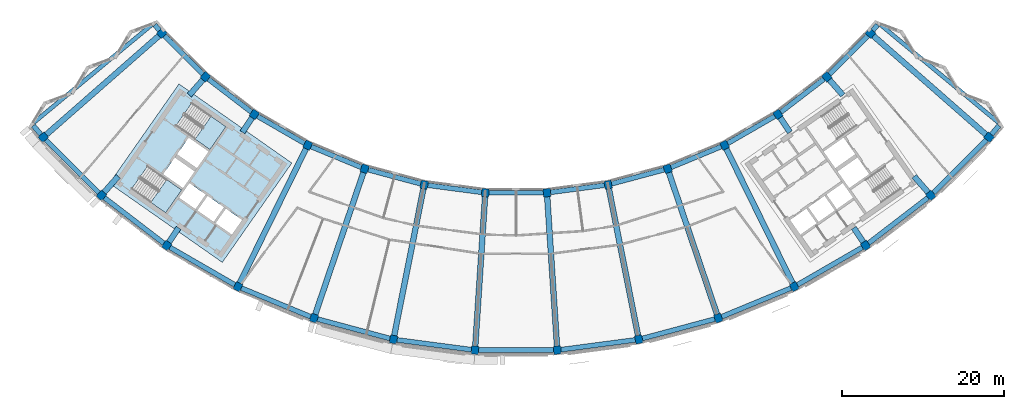
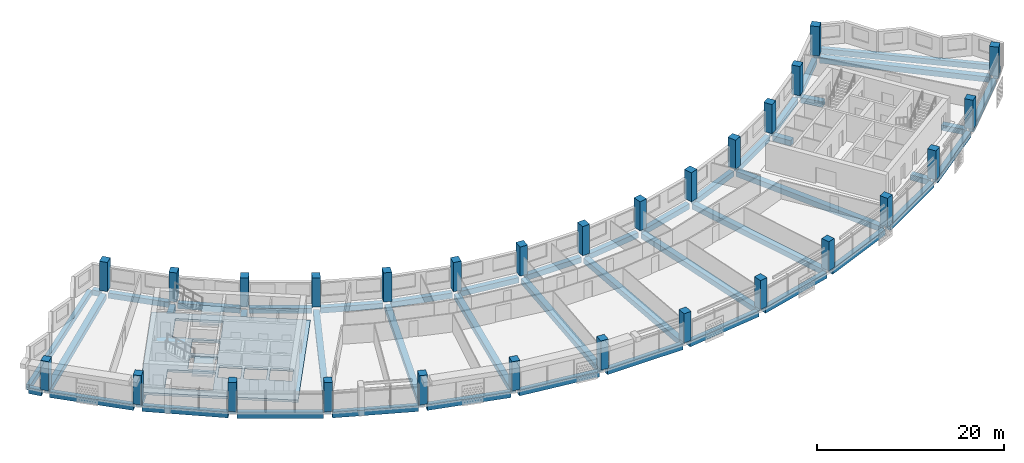
# One storey, part 1 of 28: 50 beams, 28 columns, 3 slabs, 2 elements without a shape of their own.
"""IFC4 building model written with IfcOpenShell, lengths in metres."""

from ifc_helpers import new_model, si_unit, direction, frame, origin, origin_2d, place, context, subcontext, project, spatial, polyline, rectangle, outline, extrude, material, layer, layer_set, material_profile, profile_set, type_object, element, aggregate, save


model = new_model("IFC4")

# Units and contexts
model_context = context("Model", 3, precision=1e-05, world=origin(), true_north=direction((0.0, 1.0)))
body_context = subcontext(model_context, "Body", "Model", "MODEL_VIEW")
ifc_project = project(units=[si_unit("LENGTHUNIT", "METRE"), si_unit("AREAUNIT", "SQUARE_METRE"), si_unit("VOLUMEUNIT", "CUBIC_METRE"), si_unit("PLANEANGLEUNIT", "RADIAN"), si_unit("MASSUNIT", "GRAM", prefix="KILO")], contexts=[model_context])

# Site, building, storey
site_placement = place(None, origin())
site = spatial("IfcSite", under=ifc_project, at=site_placement, CompositionType="ELEMENT")
building_placement = place(site_placement, origin())
building = spatial("IfcBuilding", under=site, at=building_placement, Name="Qamariyya Broadcast Tower", CompositionType="ELEMENT")
storey_placement = place(building_placement, frame((0.0, 0.0, 269.5)))
storey = spatial("IfcBuildingStorey", under=building, at=storey_placement, Name="L65", CompositionType="ELEMENT", Elevation=269.5)

# Columns
ifc_material_1 = material(Name="Concrete C50/60", Category="concrete")
ifc_material_profile_1 = material_profile(ifc_material_1, rectangle(XDim=0.89990234375, YDim=1.0, at=origin_2d()))
ifc_profile_set_1 = profile_set([ifc_material_profile_1], Name="Concrete C50/60")
column_type = type_object("IfcColumnType", Name="RC column 900 x 1000 C50/60", PredefinedType="COLUMN", material=ifc_profile_set_1)
for number, where, z_axis, x_axis, name in (
    (1, (-43.794677734375, -38.406982421875, 0.0), (0.0, 0.0, 1.0), (0.6593458151, -0.751839807479, 0.0), "Column C12 L65 B-R04"),
    (2, (-58.45556640625, -51.26416015625, 0.0), (0.0, 0.0, 1.0), (0.6593458151, -0.751839807479, 0.0), "Column C12 L65 C-R04"),
    (3, (-38.406982421875, -43.794677734375, 0.0), (0.0, 0.0, 1.0), (0.751839807479, -0.6593458151, 0.0), "Column C12 L65 B-R05"),
    (4, (-51.26416015625, -58.45556640625, 0.0), (0.0, 0.0, 1.0), (0.751839807479, -0.6593458151, 0.0), "Column C12 L65 C-R05"),
    (5, (-32.362060546875, -48.43310546875, 0.0), (0.0, 0.0, 1.0), (0.831469612303, -0.55557023302, 0.0), "Column C12 L65 B-R06"),
    (6, (-43.195556640625, -64.646728515625, 0.0), (0.0, 0.0, 1.0), (0.831469612303, -0.55557023302, 0.0), "Column C12 L65 C-R06"),
    (7, (-25.763427734375, -52.242919921875, 0.0), (0.0, 0.0, 1.0), (0.896872741533, -0.442288690219, 0.0), "Column C12 L65 B-R07"),
    (8, (-34.387939453125, -69.73193359375, 0.0), (0.0, 0.0, 1.0), (0.896872741533, -0.442288690219, 0.0), "Column C12 L65 C-R07"),
    (9, (-18.723876953125, -55.15869140625, 0.0), (0.0, 0.0, 1.0), (0.946930129495, -0.321439465303, 0.0), "Column C12 L65 B-R08"),
    (10, (-24.991943359375, -73.623779296875, 0.0), (0.0, 0.0, 1.0), (0.946930129495, -0.321439465303, 0.0), "Column C12 L65 C-R08"),
    (11, (-11.364013671875, -57.130859375, 0.0), (0.0, 0.0, 1.0), (0.980785280403, -0.195090322016, 0.0), "Column C12 L65 B-R09"),
    (12, (-15.168212890625, -76.256103515625, 0.0), (0.0, 0.0, 1.0), (0.980785280403, -0.195090322016, 0.0), "Column C12 L65 C-R09"),
    (13, (-3.809814453125, -58.125244140625, 0.0), (0.0, 0.0, 1.0), (0.997858923239, -0.06540312923, 0.0), "Column C12 L65 B-R10"),
    (14, (-5.085205078125, -77.58349609375, 0.0), (0.0, 0.0, 1.0), (0.997858923239, -0.06540312923, 0.0), "Column C12 L65 C-R10"),
    (15, (3.809814453125, -58.125244140625, 0.0), (0.0, 0.0, 1.0), (0.997858923239, 0.06540312923, 0.0), "Column C12 L65 B-R11"),
    (16, (5.085205078125, -77.58349609375, 0.0), (0.0, 0.0, 1.0), (0.997858923239, 0.06540312923, 0.0), "Column C12 L65 C-R11"),
    (17, (11.364013671875, -57.130859375, 0.0), (0.0, 0.0, 1.0), (0.980785280403, 0.195090322016, 0.0), "Column C12 L65 B-R12"),
    (18, (15.168212890625, -76.256103515625, 0.0), (0.0, 0.0, 1.0), (0.980785280403, 0.195090322016, 0.0), "Column C12 L65 C-R12"),
    (19, (18.723876953125, -55.15869140625, 0.0), (0.0, 0.0, 1.0), (0.946930129495, 0.321439465303, 0.0), "Column C12 L65 B-R13"),
    (20, (24.991943359375, -73.623779296875, 0.0), (0.0, 0.0, 1.0), (0.946930129495, 0.321439465303, 0.0), "Column C12 L65 C-R13"),
    (21, (25.763427734375, -52.242919921875, 0.0), (0.0, 0.0, 1.0), (0.896872741533, 0.442288690219, 0.0), "Column C12 L65 B-R14"),
    (22, (34.387939453125, -69.73193359375, 0.0), (0.0, 0.0, 1.0), (0.896872741533, 0.442288690219, 0.0), "Column C12 L65 C-R14"),
    (23, (32.362060546875, -48.43310546875, 0.0), (0.0, 0.0, 1.0), (0.831469612303, 0.55557023302, 0.0), "Column C12 L65 B-R15"),
    (24, (43.195556640625, -64.646728515625, 0.0), (0.0, 0.0, 1.0), (0.831469612303, 0.55557023302, 0.0), "Column C12 L65 C-R15"),
    (25, (38.406982421875, -43.794677734375, 0.0), (0.0, 0.0, 1.0), (0.751839807479, 0.6593458151, 0.0), "Column C12 L65 B-R16"),
    (26, (51.26416015625, -58.45556640625, 0.0), (0.0, 0.0, 1.0), (0.751839807479, 0.6593458151, 0.0), "Column C12 L65 C-R16"),
    (27, (43.794677734375, -38.406982421875, 0.0), (0.0, 0.0, 1.0), (0.6593458151, 0.751839807479, 0.0), "Column C12 L65 B-R17"),
    (28, (58.45556640625, -51.26416015625, 0.0), (0.0, 0.0, 1.0), (0.6593458151, 0.751839807479, 0.0), "Column C12 L65 C-R17"),
):
    element("IfcColumn", number, at=place(storey_placement, frame(where, z_axis=z_axis, x_axis=x_axis)), inside=storey, type_object=column_type, Name=name, PredefinedType="COLUMN", context=body_context, shape_type="SweptSolid", body=[
        extrude(rectangle(XDim=0.89990234375, YDim=1.0, at=origin_2d()), origin(), (0.0, 0.0, 1.0), 3.800048828125),
    ])

# Beams
ifc_material_2 = material(Name="Concrete C40/50", Category="concrete")
ifc_material_profile_2 = material_profile(ifc_material_2, rectangle(XDim=0.60009765625, YDim=0.699951171875, at=origin_2d()))
ifc_profile_set_2 = profile_set([ifc_material_profile_2], Name="Concrete C40/50")
beam_type_1 = type_object("IfcBeamType", Name="RC edge beam 600 x 700 C40/50", PredefinedType="SPANDREL", material=ifc_profile_set_2)
for number, where, z_axis, x_axis, name in (
    (29, (-43.475830078125, -38.725830078125, -0.64990234375), (0.707106781187, -0.707106781187, 0.0), (0.707106781187, 0.707106781187, 0.0), "Edge beam B20 L65 B R04-R05"),
    (30, (-38.049072265625, -44.069091796875, -0.64990234375), (0.793335450892, -0.608784742219, 0.0), (0.608784742219, 0.793335450892, 0.0), "Edge beam B20 L65 B R05-R06"),
    (31, (-31.971435546875, -48.65869140625, -0.64990234375), (0.866036098112, -0.499981476425, 0.0), (0.499981476425, 0.866036098112, 0.0), "Edge beam B20 L65 B R06-R07"),
    (32, (-25.3466796875, -52.41552734375, -0.64990234375), (0.923888821942, -0.382661004926, 0.0), (0.382661004926, 0.923888821942, 0.0), "Edge beam B20 L65 B R07-R08"),
    (33, (-18.288330078125, -55.275390625, -0.64990234375), (0.965930856343, -0.258800271955, 0.0), (0.258800271955, 0.965930856343, 0.0), "Edge beam B20 L65 B R08-R09"),
    (34, (-10.9169921875, -57.189697265625, -0.64990234375), (0.991447119382, -0.130509039798, 0.0), (0.130509039798, 0.991447119382, 0.0), "Edge beam B20 L65 B R09-R10"),
):
    element("IfcBeam", number, at=place(storey_placement, frame(where, z_axis=z_axis, x_axis=x_axis)), inside=storey, type_object=beam_type_1, Name=name, PredefinedType="SPANDREL", context=body_context, shape_type="SweptSolid", body=[
        extrude(rectangle(XDim=0.60009765625, YDim=0.699951171875, at=origin_2d()), origin(), (0.0, 0.0, 1.0), 6.717529296875),
    ])
beam_1_placement = place(storey_placement, frame((-3.35888671875, -58.125244140625, -0.64990234375), z_axis=(1.0, 0.0, 0.0), x_axis=(0.0, 1.0, 0.0)))
element("IfcBeam", 35, at=beam_1_placement, inside=storey, type_object=beam_type_1, Name="Edge beam B20 L65 B R10-R11", PredefinedType="SPANDREL", context=body_context, shape_type="SweptSolid", body=[
    extrude(rectangle(XDim=0.60009765625, YDim=0.699951171875, at=origin_2d()), origin(), (0.0, 0.0, 1.0), 6.7177734375),
])
for number, where, z_axis, x_axis, name in (
    (36, (4.2568359375, -58.06640625, -0.64990234375), (0.991447119382, 0.130509039798, 0.0), (-0.130509039798, 0.991447119382, 0.0), "Edge beam B20 L65 B R11-R12"),
    (37, (11.799560546875, -57.013916015625, -0.64990234375), (0.965930856343, 0.258800271955, 0.0), (-0.258800271955, 0.965930856343, 0.0), "Edge beam B20 L65 B R12-R13"),
    (38, (19.140380859375, -54.986083984375, -0.64990234375), (0.923888821942, 0.382661004926, 0.0), (-0.382661004926, 0.923888821942, 0.0), "Edge beam B20 L65 B R13-R14"),
    (39, (26.15380859375, -52.017333984375, -0.64990234375), (0.866036098112, 0.499981476425, 0.0), (-0.499981476425, 0.866036098112, 0.0), "Edge beam B20 L65 B R14-R15"),
    (40, (32.7197265625, -48.15869140625, -0.64990234375), (0.793335450892, 0.608784742219, 0.0), (-0.608784742219, 0.793335450892, 0.0), "Edge beam B20 L65 B R15-R16"),
    (41, (38.725830078125, -43.475830078125, -0.64990234375), (0.707106781187, 0.707106781187, 0.0), (-0.707106781187, 0.707106781187, 0.0), "Edge beam B20 L65 B R16-R17"),
):
    element("IfcBeam", number, at=place(storey_placement, frame(where, z_axis=z_axis, x_axis=x_axis)), inside=storey, type_object=beam_type_1, Name=name, PredefinedType="SPANDREL", context=body_context, shape_type="SweptSolid", body=[
        extrude(rectangle(XDim=0.60009765625, YDim=0.699951171875, at=origin_2d()), origin(), (0.0, 0.0, 1.0), 6.717529296875),
    ])
for number, where, z_axis, x_axis, name in (
    (42, (-58.13671875, -51.5830078125, -0.64990234375), (0.707106781187, -0.707106781187, 0.0), (0.707106781187, 0.707106781187, 0.0), "Edge beam B20 L65 C R04-R05"),
    (43, (-50.90625, -58.72998046875, -0.64990234375), (0.793335362304, -0.608784857662, 0.0), (0.608784857662, 0.793335362304, 0.0), "Edge beam B20 L65 C R05-R06"),
):
    element("IfcBeam", number, at=place(storey_placement, frame(where, z_axis=z_axis, x_axis=x_axis)), inside=storey, type_object=beam_type_1, Name=name, PredefinedType="SPANDREL", context=body_context, shape_type="SweptSolid", body=[
        extrude(rectangle(XDim=0.60009765625, YDim=0.699951171875, at=origin_2d()), origin(), (0.0, 0.0, 1.0), 9.268310546875),
    ])
for number, where, z_axis, x_axis, name in (
    (44, (-42.804931640625, -64.872314453125, -0.64990234375), (0.866025032501, -0.50000064308, 0.0), (0.50000064308, 0.866025032501, 0.0), "Edge beam B20 L65 C R06-R07"),
    (45, (-33.97119140625, -69.904541015625, -0.64990234375), (0.923886165939, -0.382667417461, 0.0), (0.382667417461, 0.923886165939, 0.0), "Edge beam B20 L65 C R07-R08"),
):
    element("IfcBeam", number, at=place(storey_placement, frame(where, z_axis=z_axis, x_axis=x_axis)), inside=storey, type_object=beam_type_1, Name=name, PredefinedType="SPANDREL", context=body_context, shape_type="SweptSolid", body=[
        extrude(rectangle(XDim=0.60009765625, YDim=0.699951171875, at=origin_2d()), origin(), (0.0, 0.0, 1.0), 9.26806640625),
    ])
beam_2_placement = place(storey_placement, frame((-24.556396484375, -73.740478515625, -0.64990234375), z_axis=(0.965923830183, -0.258826494556, 0.0), x_axis=(0.258826494556, 0.965923830183, 0.0)))
element("IfcBeam", 46, at=beam_2_placement, inside=storey, type_object=beam_type_1, Name="Edge beam B20 L65 C R08-R09", PredefinedType="SPANDREL", context=body_context, shape_type="SweptSolid", body=[
    extrude(rectangle(XDim=0.60009765625, YDim=0.699951171875, at=origin_2d()), origin(), (0.0, 0.0, 1.0), 9.2685546875),
])
beam_3_placement = place(storey_placement, frame((-14.72119140625, -76.31494140625, -0.64990234375), z_axis=(0.991445327372, -0.130522652562, 0.0), x_axis=(0.130522652562, 0.991445327372, 0.0)))
element("IfcBeam", 47, at=beam_3_placement, inside=storey, type_object=beam_type_1, Name="Edge beam B20 L65 C R09-R10", PredefinedType="SPANDREL", context=body_context, shape_type="SweptSolid", body=[
    extrude(rectangle(XDim=0.60009765625, YDim=0.699951171875, at=origin_2d()), origin(), (0.0, 0.0, 1.0), 9.268310546875),
])
beam_4_placement = place(storey_placement, frame((-4.634033203125, -77.58349609375, -0.64990234375), z_axis=(1.0, 0.0, 0.0), x_axis=(0.0, 1.0, 0.0)))
element("IfcBeam", 48, at=beam_4_placement, inside=storey, type_object=beam_type_1, Name="Edge beam B20 L65 C R10-R11", PredefinedType="SPANDREL", context=body_context, shape_type="SweptSolid", body=[
    extrude(rectangle(XDim=0.60009765625, YDim=0.699951171875, at=origin_2d()), origin(), (0.0, 0.0, 1.0), 9.26806640625),
])
beam_5_placement = place(storey_placement, frame((5.5322265625, -77.524658203125, -0.64990234375), z_axis=(0.991445327372, 0.130522652562, 0.0), x_axis=(-0.130522652562, 0.991445327372, 0.0)))
element("IfcBeam", 49, at=beam_5_placement, inside=storey, type_object=beam_type_1, Name="Edge beam B20 L65 C R11-R12", PredefinedType="SPANDREL", context=body_context, shape_type="SweptSolid", body=[
    extrude(rectangle(XDim=0.60009765625, YDim=0.699951171875, at=origin_2d()), origin(), (0.0, 0.0, 1.0), 9.268310546875),
])
beam_6_placement = place(storey_placement, frame((15.603759765625, -76.139404296875, -0.64990234375), z_axis=(0.965923830183, 0.258826494556, 0.0), x_axis=(-0.258826494556, 0.965923830183, 0.0)))
element("IfcBeam", 50, at=beam_6_placement, inside=storey, type_object=beam_type_1, Name="Edge beam B20 L65 C R12-R13", PredefinedType="SPANDREL", context=body_context, shape_type="SweptSolid", body=[
    extrude(rectangle(XDim=0.60009765625, YDim=0.699951171875, at=origin_2d()), origin(), (0.0, 0.0, 1.0), 9.2685546875),
])
for number, where, z_axis, x_axis, name in (
    (51, (25.408447265625, -73.451171875, -0.64990234375), (0.923886165939, 0.382667417461, 0.0), (-0.382667417461, 0.923886165939, 0.0), "Edge beam B20 L65 C R13-R14"),
    (52, (34.778564453125, -69.50634765625, -0.64990234375), (0.866025032501, 0.50000064308, 0.0), (-0.50000064308, 0.866025032501, 0.0), "Edge beam B20 L65 C R14-R15"),
):
    element("IfcBeam", number, at=place(storey_placement, frame(where, z_axis=z_axis, x_axis=x_axis)), inside=storey, type_object=beam_type_1, Name=name, PredefinedType="SPANDREL", context=body_context, shape_type="SweptSolid", body=[
        extrude(rectangle(XDim=0.60009765625, YDim=0.699951171875, at=origin_2d()), origin(), (0.0, 0.0, 1.0), 9.26806640625),
    ])
for number, where, z_axis, x_axis, name in (
    (53, (43.553466796875, -64.372314453125, -0.64990234375), (0.793335362304, 0.608784857662, 0.0), (-0.608784857662, 0.793335362304, 0.0), "Edge beam B20 L65 C R15-R16"),
    (54, (51.5830078125, -58.13671875, -0.64990234375), (0.707106781187, 0.707106781187, 0.0), (-0.707106781187, 0.707106781187, 0.0), "Edge beam B20 L65 C R16-R17"),
):
    element("IfcBeam", number, at=place(storey_placement, frame(where, z_axis=z_axis, x_axis=x_axis)), inside=storey, type_object=beam_type_1, Name=name, PredefinedType="SPANDREL", context=body_context, shape_type="SweptSolid", body=[
        extrude(rectangle(XDim=0.60009765625, YDim=0.699951171875, at=origin_2d()), origin(), (0.0, 0.0, 1.0), 9.268310546875),
    ])
ifc_material_profile_3 = material_profile(ifc_material_2, rectangle(XDim=0.60009765625, YDim=0.699951171875, at=origin_2d()))
ifc_profile_set_3 = profile_set([ifc_material_profile_3], Name="Concrete C40/50")
beam_type_2 = type_object("IfcBeamType", Name="RC horn beam 600 x 700 C40/50", PredefinedType="BEAM", material=ifc_profile_set_3)
beam_7_placement = place(storey_placement, frame((-44.086669921875, -38.064453125, -0.64990234375), z_axis=(-0.649079739905, 0.760720376515, 0.0), x_axis=(-0.760720376515, -0.649079739905, 0.0)))
element("IfcBeam", 55, at=beam_7_placement, inside=storey, type_object=beam_type_2, Name="Horn beam B19 L65 W B-R04", PredefinedType="BEAM", context=body_context, shape_type="SweptSolid", body=[
    extrude(rectangle(XDim=0.60009765625, YDim=0.699951171875, at=origin_2d()), origin(), (0.0, 0.0, 1.0), 0.9052734375),
])
beam_8_placement = place(storey_placement, frame((-58.74755859375, -50.921630859375, -0.64990234375), z_axis=(-0.648963892423, 0.760819207388, 0.0), x_axis=(-0.760819207388, -0.648963892423, 0.0)))
element("IfcBeam", 56, at=beam_8_placement, inside=storey, type_object=beam_type_2, Name="Horn beam B19 L65 W C-R04", PredefinedType="BEAM", context=body_context, shape_type="SweptSolid", body=[
    extrude(rectangle(XDim=0.60009765625, YDim=0.699951171875, at=origin_2d()), origin(), (0.0, 0.0, 1.0), 1.442626953125),
])
beam_9_placement = place(storey_placement, frame((44.086669921875, -38.064453125, -0.64990234375), z_axis=(0.649079739905, 0.760720376515, 0.0), x_axis=(-0.760720376515, 0.649079739905, 0.0)))
element("IfcBeam", 57, at=beam_9_placement, inside=storey, type_object=beam_type_2, Name="Horn beam B19 L65 E B-R17", PredefinedType="BEAM", context=body_context, shape_type="SweptSolid", body=[
    extrude(rectangle(XDim=0.60009765625, YDim=0.699951171875, at=origin_2d()), origin(), (0.0, 0.0, 1.0), 0.9052734375),
])
beam_10_placement = place(storey_placement, frame((58.74755859375, -50.921630859375, -0.64990234375), z_axis=(0.648963892423, 0.760819207388, 0.0), x_axis=(-0.760819207388, 0.648963892423, 0.0)))
element("IfcBeam", 58, at=beam_10_placement, inside=storey, type_object=beam_type_2, Name="Horn beam B19 L65 E C-R17", PredefinedType="BEAM", context=body_context, shape_type="SweptSolid", body=[
    extrude(rectangle(XDim=0.60009765625, YDim=0.699951171875, at=origin_2d()), origin(), (0.0, 0.0, 1.0), 1.442626953125),
])
ifc_material_profile_4 = material_profile(ifc_material_2, rectangle(XDim=0.5, YDim=0.699951171875, at=origin_2d()))
ifc_profile_set_4 = profile_set([ifc_material_profile_4], Name="Concrete C40/50")
beam_type_3 = type_object("IfcBeamType", Name="RC horn cap beam 500 x 700 C40/50", PredefinedType="BEAM", material=ifc_profile_set_4)
for number, where, z_axis, x_axis, name in (
    (59, (-45.0673828125, -37.376953125, -0.64990234375), (-0.769729010157, -0.638370778562, 0.0), (0.638370778562, -0.769729010157, 0.0), "Horn cap beam B21 L65 W B-C"),
    (60, (45.0673828125, -37.376953125, -0.64990234375), (0.769729010157, -0.638370778562, 0.0), (0.638370778562, 0.769729010157, 0.0), "Horn cap beam B21 L65 E B-C"),
):
    element("IfcBeam", number, at=place(storey_placement, frame(where, z_axis=z_axis, x_axis=x_axis)), inside=storey, type_object=beam_type_3, Name=name, PredefinedType="BEAM", context=body_context, shape_type="SweptSolid", body=[
        extrude(rectangle(XDim=0.5, YDim=0.699951171875, at=origin_2d()), origin(), (0.0, 0.0, 1.0), 18.89990234375),
    ])
ifc_material_profile_5 = material_profile(ifc_material_2, rectangle(XDim=0.699951171875, YDim=0.699951171875, at=origin_2d()))
ifc_profile_set_5 = profile_set([ifc_material_profile_5], Name="Concrete C40/50")
beam_type_4 = type_object("IfcBeamType", Name="RC radial beam 700 x 700 C40/50", PredefinedType="BEAM", material=ifc_profile_set_5)
beam_11_placement = place(storey_placement, frame((-44.170654296875, -38.736572265625, -0.64990234375), z_axis=(-0.751834744467, -0.659351588314, 0.0), x_axis=(0.659351588314, -0.751834744467, 0.0)))
element("IfcBeam", 61, at=beam_11_placement, inside=storey, type_object=beam_type_4, Name="Radial beam B18 L65 R04 B-C", PredefinedType="BEAM", context=body_context, shape_type="SweptSolid", body=[
    extrude(rectangle(XDim=0.699951171875, YDim=0.699951171875, at=origin_2d()), origin(), (0.0, 0.0, 1.0), 18.5),
])
beam_12_placement = place(storey_placement, frame((-38.736572265625, -44.170654296875, -0.64990234375), z_axis=(-0.659370418704, -0.751818229986, 0.0), x_axis=(0.751818229986, -0.659370418704, 0.0)))
element("IfcBeam", 62, at=beam_12_placement, inside=storey, type_object=beam_type_4, Name="Radial beam B18 L65 R05 B-C", PredefinedType="BEAM", context=body_context, shape_type="SweptSolid", body=[
    extrude(rectangle(XDim=0.699951171875, YDim=0.699951171875, at=origin_2d()), origin(), (0.0, 0.0, 1.0), 2.51416015625),
])
beam_13_placement = place(storey_placement, frame((-49.1943359375, -56.095458984375, -0.64990234375), z_axis=(-0.659388288985, -0.751802556759, 0.0), x_axis=(0.751802556759, -0.659388288985, 0.0)))
element("IfcBeam", 63, at=beam_13_placement, inside=storey, type_object=beam_type_4, Name="Radial beam B18 L65 R05 B-C", PredefinedType="BEAM", context=body_context, shape_type="SweptSolid", body=[
    extrude(rectangle(XDim=0.699951171875, YDim=0.699951171875, at=origin_2d()), origin(), (0.0, 0.0, 1.0), 2.63916015625),
])
beam_14_placement = place(storey_placement, frame((-32.6396484375, -48.848876953125, -0.64990234375), z_axis=(-0.555636925355, -0.83142504604, 0.0), x_axis=(0.83142504604, -0.555636925355, 0.0)))
element("IfcBeam", 64, at=beam_14_placement, inside=storey, type_object=beam_type_4, Name="Radial beam B18 L65 R06 B-C", PredefinedType="BEAM", context=body_context, shape_type="SweptSolid", body=[
    extrude(rectangle(XDim=0.699951171875, YDim=0.699951171875, at=origin_2d()), origin(), (0.0, 0.0, 1.0), 2.16455078125),
])
beam_15_placement = place(storey_placement, frame((-41.733154296875, -62.458251953125, -0.64990234375), z_axis=(-0.555598329138, -0.83145083839, 0.0), x_axis=(0.83145083839, -0.555598329138, 0.0)))
element("IfcBeam", 65, at=beam_15_placement, inside=storey, type_object=beam_type_4, Name="Radial beam B18 L65 R06 B-C", PredefinedType="BEAM", context=body_context, shape_type="SweptSolid", body=[
    extrude(rectangle(XDim=0.699951171875, YDim=0.699951171875, at=origin_2d()), origin(), (0.0, 0.0, 1.0), 2.132080078125),
])
for number, where, z_axis, x_axis, name in (
    (66, (-25.984375, -52.691162109375, -0.64990234375), (-0.442287103846, -0.896873523843, 0.0), (0.896873523843, -0.442287103846, 0.0), "Radial beam B18 L65 R07 B-C"),
    (67, (-18.884521484375, -55.632080078125, -0.64990234375), (-0.321444904473, -0.946928283128, 0.0), (0.946928283128, -0.321444904473, 0.0), "Radial beam B18 L65 R08 B-C"),
):
    element("IfcBeam", number, at=place(storey_placement, frame(where, z_axis=z_axis, x_axis=x_axis)), inside=storey, type_object=beam_type_4, Name=name, PredefinedType="BEAM", context=body_context, shape_type="SweptSolid", body=[
        extrude(rectangle(XDim=0.699951171875, YDim=0.699951171875, at=origin_2d()), origin(), (0.0, 0.0, 1.0), 18.500244140625),
    ])
for number, where, z_axis, x_axis, name in (
    (68, (-11.461669921875, -57.62109375, -0.64990234375), (-0.195088200207, -0.980785702455, 0.0), (0.980785702455, -0.195088200207, 0.0), "Radial beam B18 L65 R09 B-C"),
    (69, (-3.842529296875, -58.624267578125, -0.64990234375), (-0.065403084588, -0.997858926165, 0.0), (0.997858926165, -0.065403084588, 0.0), "Radial beam B18 L65 R10 B-C"),
    (70, (3.842529296875, -58.624267578125, -0.64990234375), (0.065403084588, -0.997858926165, 0.0), (0.997858926165, 0.065403084588, 0.0), "Radial beam B18 L65 R11 B-C"),
    (71, (11.461669921875, -57.62109375, -0.64990234375), (0.195088200207, -0.980785702455, 0.0), (0.980785702455, 0.195088200207, 0.0), "Radial beam B18 L65 R12 B-C"),
):
    element("IfcBeam", number, at=place(storey_placement, frame(where, z_axis=z_axis, x_axis=x_axis)), inside=storey, type_object=beam_type_4, Name=name, PredefinedType="BEAM", context=body_context, shape_type="SweptSolid", body=[
        extrude(rectangle(XDim=0.699951171875, YDim=0.699951171875, at=origin_2d()), origin(), (0.0, 0.0, 1.0), 18.5),
    ])
for number, where, z_axis, x_axis, name in (
    (72, (18.884521484375, -55.632080078125, -0.64990234375), (0.321444904473, -0.946928283128, 0.0), (0.946928283128, 0.321444904473, 0.0), "Radial beam B18 L65 R13 B-C"),
    (73, (25.984375, -52.691162109375, -0.64990234375), (0.442287103846, -0.896873523843, 0.0), (0.896873523843, 0.442287103846, 0.0), "Radial beam B18 L65 R14 B-C"),
):
    element("IfcBeam", number, at=place(storey_placement, frame(where, z_axis=z_axis, x_axis=x_axis)), inside=storey, type_object=beam_type_4, Name=name, PredefinedType="BEAM", context=body_context, shape_type="SweptSolid", body=[
        extrude(rectangle(XDim=0.699951171875, YDim=0.699951171875, at=origin_2d()), origin(), (0.0, 0.0, 1.0), 18.500244140625),
    ])
beam_16_placement = place(storey_placement, frame((32.6396484375, -48.848876953125, -0.64990234375), z_axis=(0.555636925355, -0.83142504604, 0.0), x_axis=(0.83142504604, 0.555636925355, 0.0)))
element("IfcBeam", 74, at=beam_16_placement, inside=storey, type_object=beam_type_4, Name="Radial beam B18 L65 R15 B-C", PredefinedType="BEAM", context=body_context, shape_type="SweptSolid", body=[
    extrude(rectangle(XDim=0.699951171875, YDim=0.699951171875, at=origin_2d()), origin(), (0.0, 0.0, 1.0), 2.16455078125),
])
beam_17_placement = place(storey_placement, frame((41.733154296875, -62.458251953125, -0.64990234375), z_axis=(0.555598329138, -0.83145083839, 0.0), x_axis=(0.83145083839, 0.555598329138, 0.0)))
element("IfcBeam", 75, at=beam_17_placement, inside=storey, type_object=beam_type_4, Name="Radial beam B18 L65 R15 B-C", PredefinedType="BEAM", context=body_context, shape_type="SweptSolid", body=[
    extrude(rectangle(XDim=0.699951171875, YDim=0.699951171875, at=origin_2d()), origin(), (0.0, 0.0, 1.0), 2.132080078125),
])
beam_18_placement = place(storey_placement, frame((38.736572265625, -44.170654296875, -0.64990234375), z_axis=(0.659370418704, -0.751818229986, 0.0), x_axis=(0.751818229986, 0.659370418704, 0.0)))
element("IfcBeam", 76, at=beam_18_placement, inside=storey, type_object=beam_type_4, Name="Radial beam B18 L65 R16 B-C", PredefinedType="BEAM", context=body_context, shape_type="SweptSolid", body=[
    extrude(rectangle(XDim=0.699951171875, YDim=0.699951171875, at=origin_2d()), origin(), (0.0, 0.0, 1.0), 2.51416015625),
])
beam_19_placement = place(storey_placement, frame((49.1943359375, -56.095458984375, -0.64990234375), z_axis=(0.659388288985, -0.751802556759, 0.0), x_axis=(0.751802556759, 0.659388288985, 0.0)))
element("IfcBeam", 77, at=beam_19_placement, inside=storey, type_object=beam_type_4, Name="Radial beam B18 L65 R16 B-C", PredefinedType="BEAM", context=body_context, shape_type="SweptSolid", body=[
    extrude(rectangle(XDim=0.699951171875, YDim=0.699951171875, at=origin_2d()), origin(), (0.0, 0.0, 1.0), 2.63916015625),
])
beam_20_placement = place(storey_placement, frame((44.170654296875, -38.736572265625, -0.64990234375), z_axis=(0.751834744467, -0.659351588314, 0.0), x_axis=(0.659351588314, 0.751834744467, 0.0)))
element("IfcBeam", 78, at=beam_20_placement, inside=storey, type_object=beam_type_4, Name="Radial beam B18 L65 R17 B-C", PredefinedType="BEAM", context=body_context, shape_type="SweptSolid", body=[
    extrude(rectangle(XDim=0.699951171875, YDim=0.699951171875, at=origin_2d()), origin(), (0.0, 0.0, 1.0), 18.5),
])

# Slab
ifc_layer_1 = layer(ifc_material_2, 0.300048828125)
ifc_layer_set_1 = layer_set([ifc_layer_1], Name="Core floor slab 300 mm Concrete C40/50")
slab_type_1 = type_object("IfcSlabType", Name="Core floor slab 300 mm Concrete C40/50", PredefinedType="FLOOR", material=ifc_layer_set_1)
slab_1_placement = place(storey_placement, frame((0.0, 0.0, -0.300048828125)))
element("IfcSlab", 79, at=slab_1_placement, inside=storey, type_object=slab_type_1, Name="k-W-L65-slab", PredefinedType="FLOOR", context=body_context, shape_type="SweptSolid", body=[
    extrude(outline(polyline([(-50.286376953125, -56.95751953125), (-36.32373046875, -66.734375), (-27.719970703125, -54.447021484375), (-41.6826171875, -44.67041015625), (-50.286376953125, -56.95751953125)]), holes=[polyline([(-33.87353515625, -61.49169921875), (-35.88037109375, -60.08642578125), (-37.142333984375, -61.888427734375), (-35.13525390625, -63.293701171875), (-33.87353515625, -61.49169921875)]), polyline([(-36.126220703125, -59.914306640625), (-38.133056640625, -58.509033203125), (-39.394775390625, -60.311279296875), (-37.387939453125, -61.716552734375), (-36.126220703125, -59.914306640625)]), polyline([(-38.378662109375, -58.3369140625), (-40.3857421875, -56.931640625), (-41.6474609375, -58.73388671875), (-39.640625, -60.13916015625), (-38.378662109375, -58.3369140625)]), polyline([(-39.742431640625, -55.489990234375), (-42.199951171875, -53.769287109375), (-43.6337890625, -55.817138671875), (-41.17626953125, -57.537841796875), (-39.742431640625, -55.489990234375)]), polyline([(-39.45556640625, -55.080322265625), (-41.9130859375, -53.359619140625), (-40.47900390625, -51.311767578125), (-38.021728515625, -53.032470703125), (-39.45556640625, -55.080322265625)]), polyline([(-42.06103515625, -49.837890625), (-37.849609375, -52.78662109375), (-35.870849609375, -49.960693359375), (-40.082275390625, -47.01171875), (-42.06103515625, -49.837890625)]), polyline([(-47.538818359375, -57.66064453125), (-43.3271484375, -60.609619140625), (-41.348388671875, -57.783447265625), (-45.559814453125, -54.834716796875), (-47.538818359375, -57.66064453125)])]), origin(), (0.0, 0.0, 1.0), 0.300048828125),
])

# Stair, slab
stair_type = type_object("IfcStairType", Name="Exit stair 22 risers of 173 mm", PredefinedType="HALF_TURN_STAIR", material=ifc_material_1)
stair_1_placement = place(storey_placement, origin())
stair_1 = element("IfcStair", 80, at=stair_1_placement, inside=storey, type_object=stair_type, Name="L65 Stair W2", PredefinedType="HALF_TURN_STAIR")
ifc_layer_2 = layer(ifc_material_1, 0.199951171875)
ifc_layer_set_2 = layer_set([ifc_layer_2], Name="Stair landing")
slab_type_2 = type_object("IfcSlabType", Name="Stair landing", PredefinedType="LANDING", material=ifc_layer_set_2)
slab_2_placement = place(storey_placement, frame((0.0, 0.0, 1.699951171875)))
slab_2 = element("IfcSlab", 81, at=slab_2_placement, type_object=slab_type_2, Name="ST-W2 landing 1", PredefinedType="LANDING", context=body_context, shape_type="SweptSolid", body=[
    extrude(outline(polyline([(-39.692138671875, -51.49658203125), (-37.849609375, -52.78662109375), (-35.870849609375, -49.960693359375), (-37.71337890625, -48.67041015625), (-39.692138671875, -51.49658203125)])), origin(), (0.0, 0.0, 1.0), 0.199951171875),
])
aggregate(stair_1, [slab_2])

stair_2_placement = place(storey_placement, origin())
stair_2 = element("IfcStair", 82, at=stair_2_placement, inside=storey, type_object=stair_type, Name="L65 Stair W1", PredefinedType="HALF_TURN_STAIR")
slab_3_placement = place(storey_placement, frame((0.0, 0.0, 1.699951171875)))
slab_3 = element("IfcSlab", 83, at=slab_3_placement, type_object=slab_type_2, Name="ST-W1 landing 1", PredefinedType="LANDING", context=body_context, shape_type="SweptSolid", body=[
    extrude(outline(polyline([(-45.169677734375, -59.319580078125), (-43.3271484375, -60.609619140625), (-41.348388671875, -57.783447265625), (-43.19091796875, -56.493408203125), (-45.169677734375, -59.319580078125)])), origin(), (0.0, 0.0, 1.0), 0.199951171875),
])
aggregate(stair_2, [slab_3])

save(model, "model.ifc")
